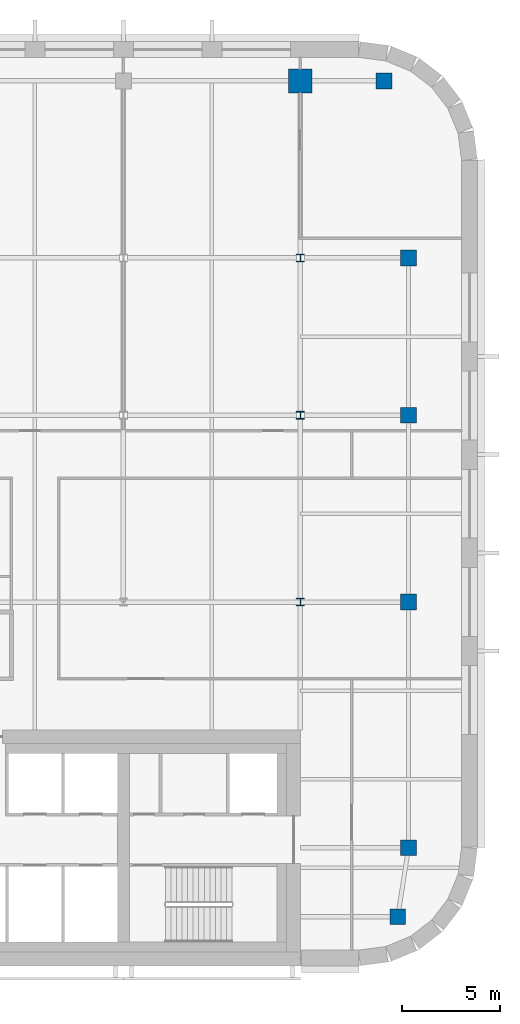
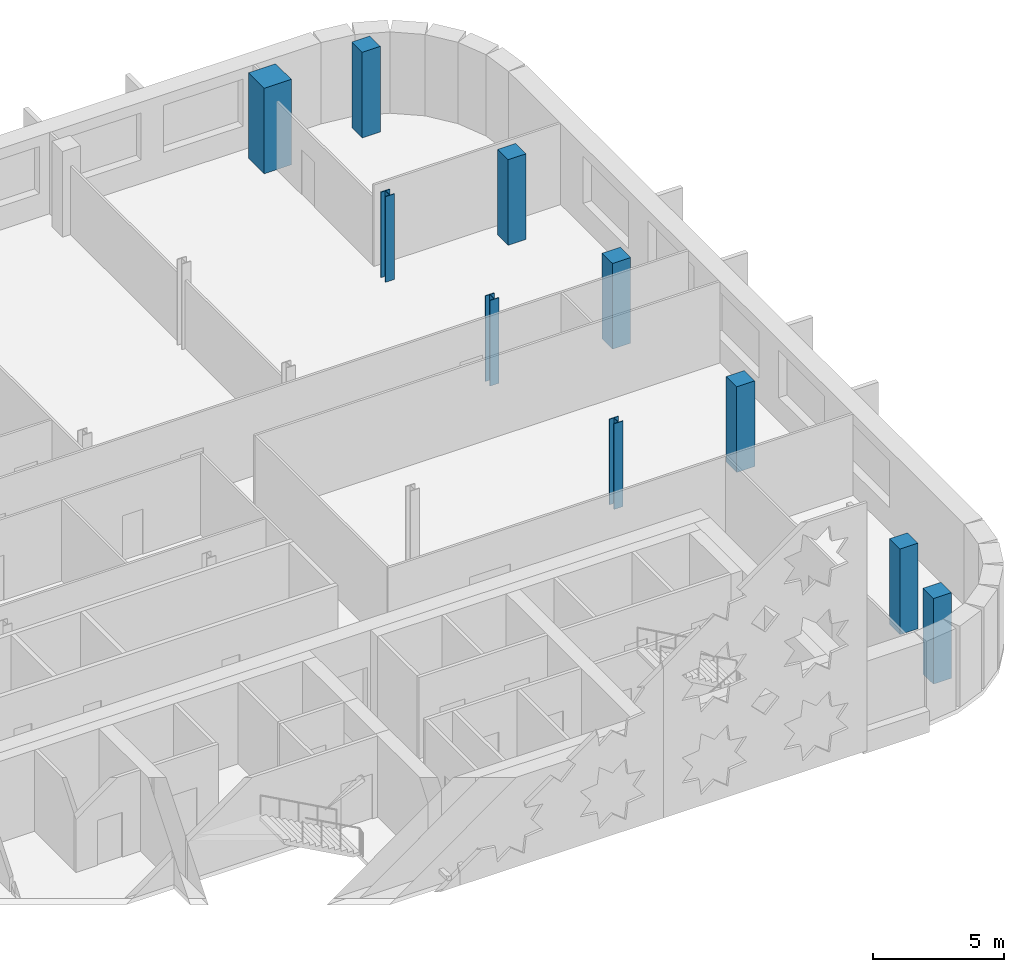
# One storey, part 4 of 17: 10 columns.
"""IFC4 building model written with IfcOpenShell, lengths in metres."""

from ifc_helpers import new_model, si_unit, direction, frame, origin, origin_2d, place, context, subcontext, project, spatial, rectangle, i_section, extrude, material, material_profile, profile_set, type_object, element, save


model = new_model("IFC4")

# Units and contexts
model_context = context("Model", 3, precision=1e-05, world=origin(), true_north=direction((0.0, 1.0)))
body_context = subcontext(model_context, "Body", "Model", "MODEL_VIEW")
ifc_project = project(units=[si_unit("LENGTHUNIT", "METRE"), si_unit("AREAUNIT", "SQUARE_METRE"), si_unit("VOLUMEUNIT", "CUBIC_METRE"), si_unit("PLANEANGLEUNIT", "RADIAN"), si_unit("MASSUNIT", "GRAM", prefix="KILO")], contexts=[model_context])

# Site, building, storey
site_placement = place(None, origin())
site = spatial("IfcSite", under=ifc_project, at=site_placement, CompositionType="ELEMENT")
building_placement = place(site_placement, origin())
building = spatial("IfcBuilding", under=site, at=building_placement, Name="Zellij Exchange Tower", CompositionType="ELEMENT")
storey_placement = place(building_placement, frame((0.0, 0.0, 252.5)))
storey = spatial("IfcBuildingStorey", under=building, at=storey_placement, Name="L59", CompositionType="ELEMENT", Elevation=252.5)

# Columns
ifc_material_1 = material(Name="Concrete C50/60", Category="concrete")
ifc_material_profile_1 = material_profile(ifc_material_1, rectangle(XDim=0.800048828125, YDim=0.800048828125, at=origin_2d()), Name="STR-COLUMN RC800x800 C50/60")
ifc_profile_set_1 = profile_set([ifc_material_profile_1], Name="Concrete C50/60")
column_type_1 = type_object("IfcColumnType", Name="STR-COLUMN RC800x800 C50/60", PredefinedType="COLUMN", material=ifc_profile_set_1)
for number, where, z_axis, x_axis, name in (
    (1, (31.949951171875, -11.5, 0.0), (0.0, 0.0, 1.0), (1.0, 0.0, 0.0), "C15"),
    (2, (32.5, -8.0, 0.0), (0.0, 0.0, 1.0), (1.0, 0.0, 0.0), "C15"),
    (3, (32.5, 4.5, 0.0), (0.0, 0.0, 1.0), (1.0, 0.0, 0.0), "C15"),
    (4, (32.5, 14.0, 0.0), (0.0, 0.0, 1.0), (1.0, 0.0, 0.0), "C15"),
    (5, (32.5, 22.0, 0.0), (0.0, 0.0, 1.0), (1.0, 0.0, 0.0), "C15"),
    (6, (31.25, 31.0, 0.0), (0.0, 0.0, 1.0), (1.0, 0.0, 0.0), "C15"),
):
    element("IfcColumn", number, at=place(storey_placement, frame(where, z_axis=z_axis, x_axis=x_axis)), inside=storey, type_object=column_type_1, Name=name, PredefinedType="COLUMN", context=body_context, shape_type="SweptSolid", body=[
        extrude(rectangle(XDim=0.800048828125, YDim=0.800048828125, at=origin_2d()), origin(), (0.0, 0.0, 1.0), 4.0),
    ])
ifc_material_2 = material(Name="Structural steel ASTM A992 Gr 50", Category="steel")
ifc_material_profile_2 = material_profile(ifc_material_2, i_section(OverallWidth=0.398681640625, OverallDepth=0.385986328125, WebThickness=0.02099609375, FlangeThickness=0.033203125, at=origin_2d()), Name="W14x176")
ifc_profile_set_2 = profile_set([ifc_material_profile_2], Name="Structural steel ASTM A992 Gr 50")
column_type_2 = type_object("IfcColumnType", Name="STR-COLUMN W14x176", PredefinedType="COLUMN", material=ifc_profile_set_2)
for number, where, z_axis, x_axis, name in (
    (7, (27.0, 4.5, 0.0), (0.0, 0.0, 1.0), (1.0, 0.0, 0.0), "C2"),
    (8, (27.0, 14.0, 0.0), (0.0, 0.0, 1.0), (1.0, 0.0, 0.0), "C2"),
    (9, (27.0, 22.0, 0.0), (0.0, 0.0, 1.0), (1.0, 0.0, 0.0), "C2"),
):
    element("IfcColumn", number, at=place(storey_placement, frame(where, z_axis=z_axis, x_axis=x_axis)), inside=storey, type_object=column_type_2, Name=name, PredefinedType="COLUMN", context=body_context, shape_type="SweptSolid", body=[
        extrude(i_section(OverallWidth=0.398681640625, OverallDepth=0.385986328125, WebThickness=0.02099609375, FlangeThickness=0.033203125, at=origin_2d()), origin(), (0.0, 0.0, 1.0), 4.0),
    ])
ifc_material_profile_3 = material_profile(ifc_material_1, rectangle(XDim=1.199951171875, YDim=1.199951171875, at=origin_2d()), Name="STR-MEGA COLUMN RC1200x1200 C50/60")
ifc_profile_set_3 = profile_set([ifc_material_profile_3], Name="Concrete C50/60")
column_type_3 = type_object("IfcColumnType", Name="STR-MEGA COLUMN RC1200x1200 C50/60", PredefinedType="COLUMN", material=ifc_profile_set_3)
column_placement = place(storey_placement, frame((27.0, 31.0, 0.0), z_axis=(0.0, 0.0, 1.0), x_axis=(1.0, 0.0, 0.0)))
element("IfcColumn", 10, at=column_placement, inside=storey, type_object=column_type_3, Name="MC2", PredefinedType="COLUMN", context=body_context, shape_type="SweptSolid", body=[
    extrude(rectangle(XDim=1.199951171875, YDim=1.199951171875, at=origin_2d()), origin(), (0.0, 0.0, 1.0), 4.0),
])

save(model, "model.ifc")
